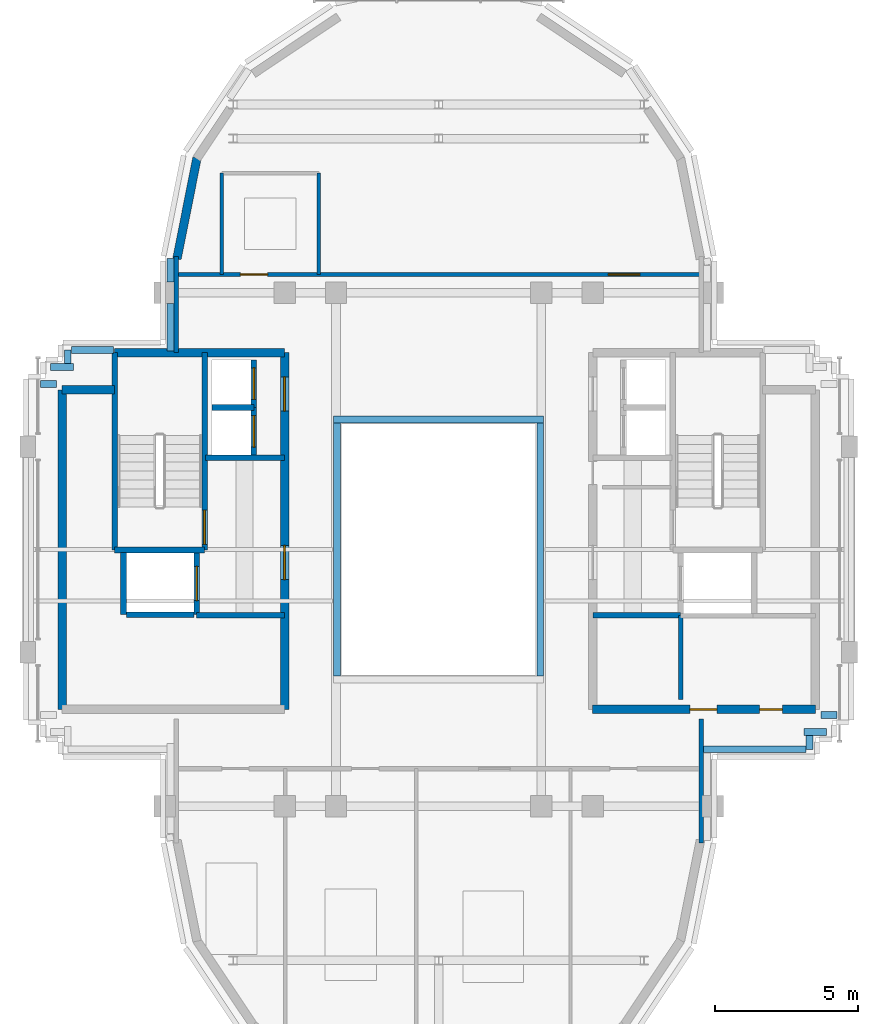
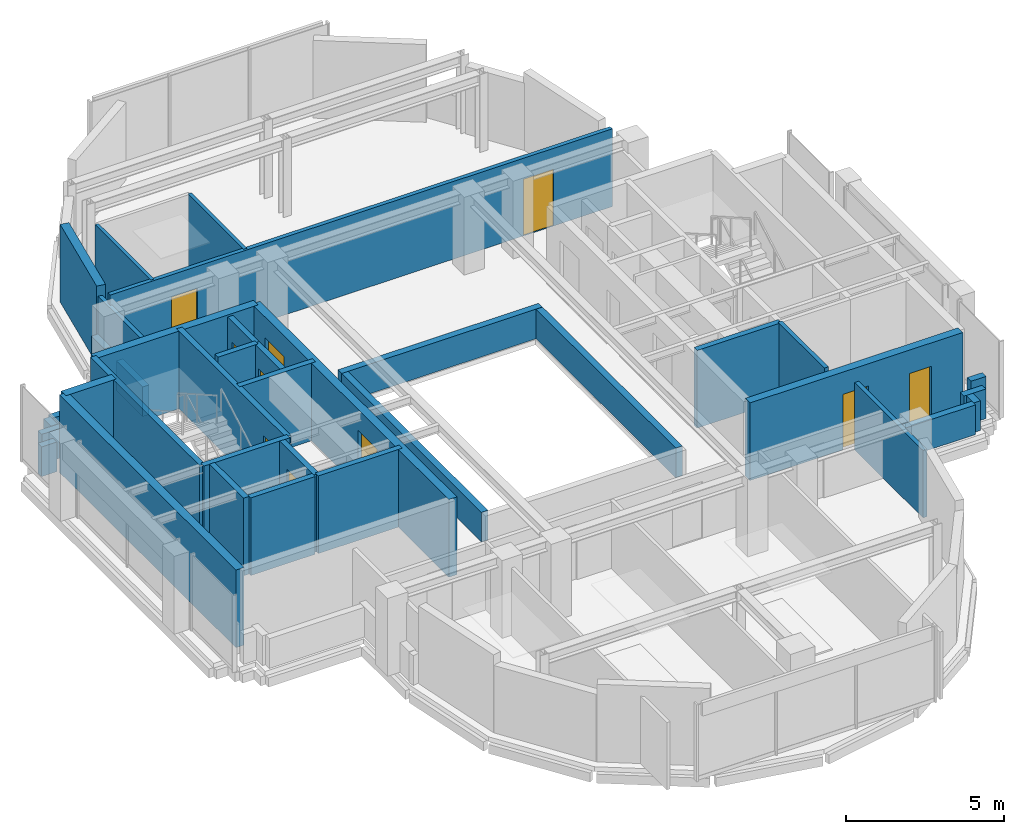
# One storey, part 7 of 10: 37 walls, 10 doors, 10 openings.
"""IFC4 building model written with IfcOpenShell, lengths in metres."""

from ifc_helpers import new_model, si_unit, direction, frame, frame_2d, origin, place, context, subcontext, project, spatial, rectangle, extrude, source, transform, mapped, material, layer, layer_set, type_object, element, fill, save


model = new_model("IFC4")

# Units and contexts
model_context = context("Model", 3, precision=1e-05, world=origin(), true_north=direction((0.0, 1.0)))
body_context = subcontext(model_context, "Body", "Model", "MODEL_VIEW")
ifc_project = project(units=[si_unit("LENGTHUNIT", "METRE"), si_unit("AREAUNIT", "SQUARE_METRE"), si_unit("VOLUMEUNIT", "CUBIC_METRE"), si_unit("PLANEANGLEUNIT", "RADIAN"), si_unit("MASSUNIT", "GRAM", prefix="KILO")], contexts=[model_context])

# Site, building, storey
site_placement = place(None, origin())
site = spatial("IfcSite", under=ifc_project, at=site_placement, CompositionType="ELEMENT")
building_placement = place(site_placement, origin())
building = spatial("IfcBuilding", under=site, at=building_placement, Name="Keilestroom Media Tower", CompositionType="ELEMENT")
storey_placement = place(building_placement, frame((0.0, 0.0, 262.0)))
storey = spatial("IfcBuildingStorey", under=building, at=storey_placement, Name="L73", CompositionType="ELEMENT", Elevation=262.0)

# Walls
ifc_material_1 = material(Name="Precast concrete C40/50", Category="concrete")
ifc_layer_1 = layer(ifc_material_1, 0.300048828125)
ifc_layer_set_1 = layer_set([ifc_layer_1], Name="Precast concrete C40/50")
wall_type_1 = type_object("IfcWallType", Name="Exterior-Masonry-Spandrel-Wall-300", PredefinedType="SOLIDWALL", material=ifc_layer_set_1)
wall_1_placement = place(storey_placement, frame((-8.470703125, 13.724609375, 0.0), z_axis=(0.0, 0.0, 1.0), x_axis=(-0.195114232679, -0.980780523974, 0.0)))
element("IfcWall", 1, at=wall_1_placement, inside=storey, type_object=wall_type_1, Name="L73 Lobe Facet Precast Frame Wall 06", PredefinedType="SOLIDWALL", context=body_context, shape_type="SweptSolid", body=[
    extrude(rectangle(XDim=3.608642578125, YDim=0.300048828125, at=frame_2d((1.80419921875, 0.0))), origin(), (0.0, 0.0, 1.0), 3.010009765625),
])
ifc_material_2 = material(Name="Gypsum Plasterboard & Steel Stud", Category="steel")
ifc_layer_2 = layer(ifc_material_2, 0.1201171875)
ifc_layer_set_2 = layer_set([ifc_layer_2], Name="Gypsum Plasterboard & Steel Stud")
wall_type_2 = type_object("IfcWallType", Name="Interior-Partition-Wall-120", PredefinedType="PARTITIONING", material=ifc_layer_set_2)
for number, where, z_axis, x_axis, name in (
    (2, (-7.60009765625, 9.639892578125, 0.0), (0.0, 0.0, 1.0), (0.0, 1.0, 0.0), "L73 Interior Wall WP-L73-NL-WC-W"),
    (3, (-4.199951171875, 9.639892578125, 0.0), (0.0, 0.0, 1.0), (0.0, 1.0, 0.0), "L73 Interior Wall WP-L73-NL-WC-E"),
):
    element("IfcWall", number, at=place(storey_placement, frame(where, z_axis=z_axis, x_axis=x_axis)), inside=storey, type_object=wall_type_2, Name=name, PredefinedType="PARTITIONING", context=body_context, shape_type="SweptSolid", body=[
        extrude(rectangle(XDim=3.550048828125, YDim=0.1201171875, at=frame_2d((1.77490234375, 0.0))), origin(), (0.0, 0.0, 1.0), 3.010009765625),
    ])
ifc_layer_3 = layer(ifc_material_2, 0.14990234375)
ifc_layer_set_3 = layer_set([ifc_layer_3], Name="Gypsum Plasterboard & Steel Stud")
wall_type_3 = type_object("IfcWallType", Name="Interior-Partition-Wall-150", PredefinedType="PARTITIONING", material=ifc_layer_set_3)
wall_2_placement = place(storey_placement, frame((8.47998046875, -5.260009765625, 0.0), z_axis=(0.0, 0.0, 1.0), x_axis=(0.0, 1.0, 0.0)))
element("IfcWall", 4, at=wall_2_placement, inside=storey, type_object=wall_type_3, Name="L73 Interior Wall WP-L73-RECME-W", PredefinedType="PARTITIONING", context=body_context, shape_type="SweptSolid", body=[
    extrude(rectangle(XDim=2.93994140625, YDim=0.14990234375, at=frame_2d((1.469970703125, 0.0))), origin(), (0.0, 0.0, 1.0), 3.010009765625),
])

# Wall, openings, doors
wall_3_placement = place(storey_placement, frame((-9.199951171875, 9.639892578125, 0.0), z_axis=(0.0, 0.0, 1.0), x_axis=(1.0, 0.0, 0.0)))
wall_3 = element("IfcWall", 5, at=wall_3_placement, inside=storey, type_object=wall_type_3, Name="L73 Interior Wall WP-L73-NL-BASE", PredefinedType="PARTITIONING", context=body_context, shape_type="SweptSolid", body=[
    extrude(rectangle(XDim=18.39990234375, YDim=0.14990234375, at=frame_2d((9.199951171875, 0.0))), origin(), (0.0, 0.0, 1.0), 3.010009765625),
])
opening_1_placement = place(wall_3_placement, frame((2.25, 0.0, 0.0)))
opening_1 = element("IfcOpeningElement", 6, at=opening_1_placement, cuts=wall_3, Name="Opening DI-03", PredefinedType="OPENING", context=body_context, shape_type="SweptSolid", body=[
    extrude(rectangle(XDim=0.949951171875, YDim=2.14990234375, at=frame_2d((0.47509765625, 1.074951171875))), frame((0.0, 0.0849609375, 0.0), z_axis=(0.0, -1.0, 0.0), x_axis=(1.0, 0.0, 0.0)), (0.0, 0.0, 1.0), 0.169921875),
])
opening_2_placement = place(wall_3_placement, frame((15.14990234375, 0.0, 0.0)))
opening_2 = element("IfcOpeningElement", 7, at=opening_2_placement, cuts=wall_3, Name="Opening DI-04", PredefinedType="OPENING", context=body_context, shape_type="SweptSolid", body=[
    extrude(rectangle(XDim=1.10009765625, YDim=2.199951171875, at=frame_2d((0.550048828125, 1.10009765625))), frame((0.0, 0.0849609375, 0.0), z_axis=(0.0, -1.0, 0.0), x_axis=(1.0, 0.0, 0.0)), (0.0, 0.0, 1.0), 0.169921875),
])
ifc_material_3 = material(Name="Lacquered European Oak Leaf", Category="wood")
door_type_1 = type_object("IfcDoorType", Name="Interior-Room-And-Suite-Door-DI-03", OperationType="NOTDEFINED", PredefinedType="DOOR", material=ifc_material_3)
shared_shape_1 = source(origin(), body_context, "Body", "SweptSolid", [
    extrude(rectangle(XDim=0.949951171875, YDim=2.14990234375, at=frame_2d((0.47509765625, 1.074951171875))), frame((0.0, 0.02490234375, 0.0), z_axis=(0.0, -1.0, 0.0), x_axis=(1.0, 0.0, 0.0)), (0.0, 0.0, 1.0), 0.050048828125),
])
door_1_placement = place(opening_1_placement, origin())
door_1 = element("IfcDoor", 8, at=door_1_placement, inside=storey, type_object=door_type_1, Name="L73 Interior Door DI-L73-DNL-WC", OperationType="SINGLE_SWING_LEFT", OverallHeight=2.14990234375, OverallWidth=0.949951171875, PredefinedType="DOOR", context=body_context, shape_type="MappedRepresentation", body=[
    mapped(shared_shape_1, transform((0.0, 0.0, 0.0), x_axis=(1.0, 0.0, 0.0), y_axis=(0.0, 1.0, 0.0), z_axis=(0.0, 0.0, 1.0), scale=1.0)),
])
fill(opening_1, door_1)
ifc_material_4 = material(Name="Acoustic Glazed Aluminium Leaf", Category="aluminium")
door_type_2 = type_object("IfcDoorType", Name="Interior-Room-And-Suite-Door-DI-04", OperationType="NOTDEFINED", PredefinedType="DOOR", material=ifc_material_4)
shared_shape_2 = source(origin(), body_context, "Body", "SweptSolid", [
    extrude(rectangle(XDim=1.10009765625, YDim=2.199951171875, at=frame_2d((0.550048828125, 1.10009765625))), frame((0.0, 0.02490234375, 0.0), z_axis=(0.0, -1.0, 0.0), x_axis=(1.0, 0.0, 0.0)), (0.0, 0.0, 1.0), 0.050048828125),
])
door_2_placement = place(opening_2_placement, origin())
door_2 = element("IfcDoor", 9, at=door_2_placement, inside=storey, type_object=door_type_2, Name="L73 Interior Door DI-L73-DNL-HALL", OperationType="SINGLE_SWING_RIGHT", OverallHeight=2.199951171875, OverallWidth=1.10009765625, PredefinedType="DOOR", context=body_context, shape_type="MappedRepresentation", body=[
    mapped(shared_shape_2, transform((0.0, 0.0, 0.0), x_axis=(1.0, 0.0, 0.0), y_axis=(0.0, 1.0, 0.0), z_axis=(0.0, 0.0, 1.0), scale=1.0)),
])
fill(opening_2, door_2)

# Walls
wall_4_placement = place(storey_placement, frame((-9.199951171875, 6.89990234375, 0.0), z_axis=(0.0, 0.0, 1.0), x_axis=(0.0, 1.0, 0.0)))
element("IfcWall", 10, at=wall_4_placement, inside=storey, type_object=wall_type_3, Name="L73 Interior Wall WP-L73-NL-CHKW", PredefinedType="PARTITIONING", context=body_context, shape_type="SweptSolid", body=[
    extrude(rectangle(XDim=3.380126953125, YDim=0.14990234375, at=frame_2d((1.68994140625, 0.0))), origin(), (0.0, 0.0, 1.0), 2.610107421875),
])
wall_5_placement = place(storey_placement, frame((9.199951171875, -10.280029296875, 0.0), z_axis=(0.0, 0.0, 1.0), x_axis=(0.0, 1.0, 0.0)))
element("IfcWall", 11, at=wall_5_placement, inside=storey, type_object=wall_type_3, Name="L73 Interior Wall WP-L73-SL-CHKE", PredefinedType="PARTITIONING", context=body_context, shape_type="SweptSolid", body=[
    extrude(rectangle(XDim=4.340087890625, YDim=0.14990234375, at=frame_2d((2.169921875, 0.0))), origin(), (0.0, 0.0, 1.0), 2.610107421875),
])
ifc_material_5 = material(Name="Concrete C50/60", Category="concrete")
ifc_layer_4 = layer(ifc_material_5, 0.300048828125)
ifc_layer_set_4 = layer_set([ifc_layer_4], Name="Concrete C50/60")
wall_type_4 = type_object("IfcWallType", Name="Reinforced-Concrete-Core-Shear-Wall-300", PredefinedType="SHEAR", material=ifc_layer_set_4)
wall_6_placement = place(storey_placement, frame((-13.199951171875, -5.60009765625, 0.0), z_axis=(0.0, 0.0, 1.0), x_axis=(0.0, 1.0, 0.0)))
element("IfcWall", 12, at=wall_6_placement, inside=storey, type_object=wall_type_4, Name="L73 Core Shear Wall WL-L73-CORE-W-OUT", PredefinedType="SHEAR", context=body_context, shape_type="SweptSolid", body=[
    extrude(rectangle(XDim=11.2001953125, YDim=0.300048828125, at=frame_2d((5.60009765625, 0.0))), origin(), (0.0, 0.0, 1.0), 3.010009765625),
])

# Wall, openings, doors
wall_7_placement = place(storey_placement, frame((-5.39990234375, -5.60009765625, 0.0), z_axis=(0.0, 0.0, 1.0), x_axis=(0.0, 1.0, 0.0)))
wall_7 = element("IfcWall", 13, at=wall_7_placement, inside=storey, type_object=wall_type_4, Name="L73 Core Shear Wall WL-L73-CORE-W-IN", PredefinedType="SHEAR", context=body_context, shape_type="SweptSolid", body=[
    extrude(rectangle(XDim=12.5, YDim=0.300048828125, at=frame_2d((6.25, 0.0))), origin(), (0.0, 0.0, 1.0), 3.010009765625),
])
opening_3_placement = place(wall_7_placement, frame((4.550048828125, 0.0, 0.0)))
opening_3 = element("IfcOpeningElement", 14, at=opening_3_placement, cuts=wall_7, Name="Opening DI-02", PredefinedType="OPENING", context=body_context, shape_type="SweptSolid", body=[
    extrude(rectangle(XDim=1.199951171875, YDim=2.199951171875, at=frame_2d((0.60009765625, 1.10009765625))), frame((0.0, 0.16015625, 0.0), z_axis=(0.0, -1.0, 0.0), x_axis=(1.0, 0.0, 0.0)), (0.0, 0.0, 1.0), 0.320068359375),
])
opening_4_placement = place(wall_7_placement, frame((10.449951171875, 0.0, 0.0)))
opening_4 = element("IfcOpeningElement", 15, at=opening_4_placement, cuts=wall_7, Name="Opening DI-02", PredefinedType="OPENING", context=body_context, shape_type="SweptSolid", body=[
    extrude(rectangle(XDim=1.199951171875, YDim=2.199951171875, at=frame_2d((0.60009765625, 1.10009765625))), frame((0.0, 0.16015625, 0.0), z_axis=(0.0, -1.0, 0.0), x_axis=(1.0, 0.0, 0.0)), (0.0, 0.0, 1.0), 0.320068359375),
])
ifc_material_6 = material(Name="Powder-Coated Steel Fire Leaf", Category="steel")
door_type_3 = type_object("IfcDoorType", Name="Interior-Compartment-Fire-Door-DI-02", OperationType="NOTDEFINED", PredefinedType="DOOR", material=ifc_material_6)
shared_shape_3 = source(origin(), body_context, "Body", "SweptSolid", [
    extrude(rectangle(XDim=1.199951171875, YDim=2.199951171875, at=frame_2d((0.60009765625, 1.10009765625))), frame((0.0, 0.02490234375, 0.0), z_axis=(0.0, -1.0, 0.0), x_axis=(1.0, 0.0, 0.0)), (0.0, 0.0, 1.0), 0.050048828125),
])
door_3_placement = place(opening_3_placement, origin())
door_3 = element("IfcDoor", 16, at=door_3_placement, inside=storey, type_object=door_type_3, Name="L73 W Firefighting Lobby Door", OperationType="SINGLE_SWING_RIGHT", OverallHeight=2.199951171875, OverallWidth=1.199951171875, PredefinedType="DOOR", context=body_context, shape_type="MappedRepresentation", body=[
    mapped(shared_shape_3, transform((0.0, 0.0, 0.0), x_axis=(1.0, 0.0, 0.0), y_axis=(0.0, 1.0, 0.0), z_axis=(0.0, 0.0, 1.0), scale=1.0)),
])
fill(opening_3, door_3)
door_4_placement = place(opening_4_placement, origin())
door_4 = element("IfcDoor", 17, at=door_4_placement, inside=storey, type_object=door_type_3, Name="L73 W High-Rise Lift Lobby Door", OperationType="SINGLE_SWING_LEFT", OverallHeight=2.199951171875, OverallWidth=1.199951171875, PredefinedType="DOOR", context=body_context, shape_type="MappedRepresentation", body=[
    mapped(shared_shape_3, transform((0.0, 0.0, 0.0), x_axis=(1.0, 0.0, 0.0), y_axis=(0.0, 1.0, 0.0), z_axis=(0.0, 0.0, 1.0), scale=1.0)),
])
fill(opening_4, door_4)

# Walls
wall_8_placement = place(storey_placement, frame((-11.35595703125, 6.89990234375, 0.0), z_axis=(0.0, 0.0, 1.0), x_axis=(1.0, 0.0, 0.0)))
element("IfcWall", 18, at=wall_8_placement, inside=storey, type_object=wall_type_4, Name="L73 Core Shear Wall WL-L73-CORE-W-N", PredefinedType="SHEAR", context=body_context, shape_type="SweptSolid", body=[
    extrude(rectangle(XDim=5.9560546875, YDim=0.300048828125, at=frame_2d((2.97802734375, 0.0))), origin(), (0.0, 0.0, 1.0), 3.010009765625),
])
wall_9_placement = place(storey_placement, frame((-13.199951171875, 5.60009765625, 0.0), z_axis=(0.0, 0.0, 1.0), x_axis=(1.0, 0.0, 0.0)))
element("IfcWall", 19, at=wall_9_placement, inside=storey, type_object=wall_type_4, Name="L73 Core Shear Wall WL-L73-CNW-N", PredefinedType="SHEAR", context=body_context, shape_type="SweptSolid", body=[
    extrude(rectangle(XDim=1.843994140625, YDim=0.300048828125, at=frame_2d((0.921875, 0.0))), origin(), (0.0, 0.0, 1.0), 3.010009765625),
])

# Wall, openings, doors
wall_10_placement = place(storey_placement, frame((5.39990234375, -5.60009765625, 0.0), z_axis=(0.0, 0.0, 1.0), x_axis=(1.0, 0.0, 0.0)))
wall_10 = element("IfcWall", 20, at=wall_10_placement, inside=storey, type_object=wall_type_4, Name="L73 Core Shear Wall WL-L73-CORE-E-S", PredefinedType="SHEAR", context=body_context, shape_type="SweptSolid", body=[
    extrude(rectangle(XDim=7.800048828125, YDim=0.300048828125, at=frame_2d((3.89990234375, 0.0))), origin(), (0.0, 0.0, 1.0), 3.010009765625),
])
opening_5_placement = place(wall_10_placement, frame((5.85009765625, 0.0, 0.0)))
opening_5 = element("IfcOpeningElement", 21, at=opening_5_placement, cuts=wall_10, Name="Opening DI-06", PredefinedType="OPENING", context=body_context, shape_type="SweptSolid", body=[
    extrude(rectangle(XDim=0.800048828125, YDim=2.10009765625, at=frame_2d((0.39990234375, 1.050048828125))), frame((0.0, 0.16015625, 0.0), z_axis=(0.0, -1.0, 0.0), x_axis=(1.0, 0.0, 0.0)), (0.0, 0.0, 1.0), 0.320068359375),
])
opening_6_placement = place(wall_10_placement, frame((3.39990234375, 0.0, 0.0)))
opening_6 = element("IfcOpeningElement", 22, at=opening_6_placement, cuts=wall_10, Name="Opening DI-03", PredefinedType="OPENING", context=body_context, shape_type="SweptSolid", body=[
    extrude(rectangle(XDim=0.949951171875, YDim=2.14990234375, at=frame_2d((0.47509765625, 1.074951171875))), frame((0.0, 0.16015625, 0.0), z_axis=(0.0, -1.0, 0.0), x_axis=(1.0, 0.0, 0.0)), (0.0, 0.0, 1.0), 0.320068359375),
])
ifc_material_7 = material(Name="Powder-Coated Steel Service Leaf", Category="steel")
door_type_4 = type_object("IfcDoorType", Name="Interior-Riser-Access-Door-DI-06", OperationType="NOTDEFINED", PredefinedType="DOOR", material=ifc_material_7)
shared_shape_4 = source(origin(), body_context, "Body", "SweptSolid", [
    extrude(rectangle(XDim=0.800048828125, YDim=2.10009765625, at=frame_2d((0.39990234375, 1.050048828125))), frame((0.0, 0.02490234375, 0.0), z_axis=(0.0, -1.0, 0.0), x_axis=(1.0, 0.0, 0.0)), (0.0, 0.0, 1.0), 0.050048828125),
])
door_5_placement = place(opening_5_placement, origin())
door_5 = element("IfcDoor", 23, at=door_5_placement, inside=storey, type_object=door_type_4, Name="L73 Reclaimed East Core Room Door", OperationType="SINGLE_SWING_RIGHT", OverallHeight=2.10009765625, OverallWidth=0.800048828125, PredefinedType="DOOR", context=body_context, shape_type="MappedRepresentation", body=[
    mapped(shared_shape_4, transform((0.0, 0.0, 0.0), x_axis=(1.0, 0.0, 0.0), y_axis=(0.0, 1.0, 0.0), z_axis=(0.0, 0.0, 1.0), scale=1.0)),
])
fill(opening_5, door_5)
door_6_placement = place(opening_6_placement, origin())
door_6 = element("IfcDoor", 24, at=door_6_placement, inside=storey, type_object=door_type_1, Name="L73 Reclaimed Mid East Room Door", OperationType="SINGLE_SWING_RIGHT", OverallHeight=2.14990234375, OverallWidth=0.949951171875, PredefinedType="DOOR", context=body_context, shape_type="MappedRepresentation", body=[
    mapped(shared_shape_1, transform((0.0, 0.0, 0.0), x_axis=(1.0, 0.0, 0.0), y_axis=(0.0, 1.0, 0.0), z_axis=(0.0, 0.0, 1.0), scale=1.0)),
])
fill(opening_6, door_6)

# Walls
ifc_layer_5 = layer(ifc_material_5, 0.199951171875)
ifc_layer_set_5 = layer_set([ifc_layer_5], Name="Concrete C50/60")
wall_type_5 = type_object("IfcWallType", Name="Reinforced-Concrete-Shaft-Wall-200", PredefinedType="SOLIDWALL", material=ifc_layer_set_5)
wall_11_placement = place(storey_placement, frame((-8.179931640625, 3.219970703125, 0.0), z_axis=(0.0, 0.0, 1.0), x_axis=(1.0, 0.0, 0.0)))
element("IfcWall", 25, at=wall_11_placement, inside=storey, type_object=wall_type_5, Name="L73 Core Shear Wall WL-L73-CORE-W-FFN", PredefinedType="SOLIDWALL", context=body_context, shape_type="SweptSolid", body=[
    extrude(rectangle(XDim=2.780029296875, YDim=0.199951171875, at=frame_2d((1.39013671875, 0.0))), origin(), (0.0, 0.0, 1.0), 3.010009765625),
])
wall_12_placement = place(storey_placement, frame((-8.47998046875, -2.300048828125, 0.0), z_axis=(0.0, 0.0, 1.0), x_axis=(1.0, 0.0, 0.0)))
element("IfcWall", 26, at=wall_12_placement, inside=storey, type_object=wall_type_5, Name="L73 Core Shear Wall WL-L73-CORE-W-FFS", PredefinedType="SOLIDWALL", context=body_context, shape_type="SweptSolid", body=[
    extrude(rectangle(XDim=3.080078125, YDim=0.199951171875, at=frame_2d((1.5400390625, 0.0))), origin(), (0.0, 0.0, 1.0), 3.010009765625),
])

# Wall, opening, door
wall_13_placement = place(storey_placement, frame((-8.2041015625, -0.01611328125, 0.0), z_axis=(0.0, 0.0, 1.0), x_axis=(0.0, 1.0, 0.0)))
wall_13 = element("IfcWall", 27, at=wall_13_placement, inside=storey, type_object=wall_type_5, Name="L73 Core Shear Wall WL-L73-STW-W-NEAR", PredefinedType="SOLIDWALL", context=body_context, shape_type="SweptSolid", body=[
    extrude(rectangle(XDim=6.916015625, YDim=0.199951171875, at=frame_2d((3.4580078125, 0.0))), origin(), (0.0, 0.0, 1.0), 3.010009765625),
])
opening_7_placement = place(wall_13_placement, frame((0.199951171875, 0.0, 0.0)))
opening_7 = element("IfcOpeningElement", 28, at=opening_7_placement, cuts=wall_13, Name="Opening DI-01S", PredefinedType="OPENING", context=body_context, shape_type="SweptSolid", body=[
    extrude(rectangle(XDim=1.199951171875, YDim=2.199951171875, at=frame_2d((0.60009765625, 1.10009765625))), frame((0.0, 0.10986328125, 0.0), z_axis=(0.0, -1.0, 0.0), x_axis=(1.0, 0.0, 0.0)), (0.0, 0.0, 1.0), 0.219970703125),
])
door_type_5 = type_object("IfcDoorType", Name="Interior-Stair-And-Core-Fire-Door-DI-01", OperationType="NOTDEFINED", PredefinedType="DOOR", material=ifc_material_6)
door_7_placement = place(opening_7_placement, origin())
door_7 = element("IfcDoor", 29, at=door_7_placement, inside=storey, type_object=door_type_5, Name="L73 Escape Stair ST-1 Fire Door", OperationType="SINGLE_SWING_LEFT", OverallHeight=2.199951171875, OverallWidth=1.199951171875, PredefinedType="DOOR", context=body_context, shape_type="MappedRepresentation", body=[
    mapped(shared_shape_3, transform((0.0, 0.0, 0.0), x_axis=(1.0, 0.0, 0.0), y_axis=(0.0, 1.0, 0.0), z_axis=(0.0, 0.0, 1.0), scale=1.0)),
])
fill(opening_7, door_7)

# Walls
wall_14_placement = place(storey_placement, frame((-11.35595703125, -0.01611328125, 0.0), z_axis=(0.0, 0.0, 1.0), x_axis=(0.0, 1.0, 0.0)))
element("IfcWall", 30, at=wall_14_placement, inside=storey, type_object=wall_type_5, Name="L73 Core Shear Wall WL-L73-STW-W-FAR", PredefinedType="SOLIDWALL", context=body_context, shape_type="SweptSolid", body=[
    extrude(rectangle(XDim=6.916015625, YDim=0.199951171875, at=frame_2d((3.4580078125, 0.0))), origin(), (0.0, 0.0, 1.0), 3.010009765625),
])
wall_15_placement = place(storey_placement, frame((-11.35595703125, -0.01611328125, 0.0), z_axis=(0.0, 0.0, 1.0), x_axis=(1.0, 0.0, 0.0)))
element("IfcWall", 31, at=wall_15_placement, inside=storey, type_object=wall_type_5, Name="L73 Core Shear Wall WL-L73-STW-W-S", PredefinedType="SOLIDWALL", context=body_context, shape_type="SweptSolid", body=[
    extrude(rectangle(XDim=3.15185546875, YDim=0.199951171875, at=frame_2d((1.575927734375, 0.0))), origin(), (0.0, 0.0, 1.0), 3.010009765625),
])
wall_16_placement = place(storey_placement, frame((5.39990234375, -2.300048828125, 0.0), z_axis=(0.0, 0.0, 1.0), x_axis=(1.0, 0.0, 0.0)))
element("IfcWall", 32, at=wall_16_placement, inside=storey, type_object=wall_type_5, Name="L73 Core Shear Wall WL-L73-CORE-E-FFS", PredefinedType="SOLIDWALL", context=body_context, shape_type="SweptSolid", body=[
    extrude(rectangle(XDim=3.080078125, YDim=0.199951171875, at=frame_2d((1.5400390625, 0.0))), origin(), (0.0, 0.0, 1.0), 3.010009765625),
])
wall_17_placement = place(storey_placement, frame((-11.050048828125, -2.280029296875, 0.0), z_axis=(0.0, 0.0, 1.0), x_axis=(0.0, 1.0, 0.0)))
element("IfcWall", 33, at=wall_17_placement, inside=storey, type_object=wall_type_5, Name="L73 Core Shear Wall WL-L73-LSH-FFL-1-W", PredefinedType="SOLIDWALL", context=body_context, shape_type="SweptSolid", body=[
    extrude(rectangle(XDim=2.179931640625, YDim=0.199951171875, at=frame_2d((1.08984375, 0.0))), origin(), (0.0, 0.0, 1.0), 3.010009765625),
])

# Wall, opening, door
wall_18_placement = place(storey_placement, frame((-8.47998046875, -2.280029296875, 0.0), z_axis=(0.0, 0.0, 1.0), x_axis=(0.0, 1.0, 0.0)))
wall_18 = element("IfcWall", 34, at=wall_18_placement, inside=storey, type_object=wall_type_5, Name="L73 Core Shear Wall WL-L73-LSH-FFL-1-E", PredefinedType="SOLIDWALL", context=body_context, shape_type="SweptSolid", body=[
    extrude(rectangle(XDim=2.179931640625, YDim=0.199951171875, at=frame_2d((1.08984375, 0.0))), origin(), (0.0, 0.0, 1.0), 3.010009765625),
])
opening_8_placement = place(wall_18_placement, frame((0.489990234375, 0.0, 0.0)))
opening_8 = element("IfcOpeningElement", 35, at=opening_8_placement, cuts=wall_18, Name="Opening LD-02", PredefinedType="OPENING", context=body_context, shape_type="SweptSolid", body=[
    extrude(rectangle(XDim=1.199951171875, YDim=2.199951171875, at=frame_2d((0.60009765625, 1.10009765625))), frame((0.0, 0.10986328125, 0.0), z_axis=(0.0, -1.0, 0.0), x_axis=(1.0, 0.0, 0.0)), (0.0, 0.0, 1.0), 0.219970703125),
])
ifc_material_8 = material(Name="Brushed Stainless Steel Sliding Leaf", Category="steel")
door_type_6 = type_object("IfcDoorType", Name="Lift-Landing-Sliding-Door-LD-02", OperationType="SLIDING_TO_RIGHT", PredefinedType="DOOR", material=ifc_material_8)
door_8_placement = place(opening_8_placement, origin())
door_8 = element("IfcDoor", 36, at=door_8_placement, inside=storey, type_object=door_type_6, Name="L73 Lift FFL-1 Landing Sliding Door", OperationType="SLIDING_TO_RIGHT", OverallHeight=2.199951171875, OverallWidth=1.199951171875, PredefinedType="DOOR", context=body_context, shape_type="MappedRepresentation", body=[
    mapped(shared_shape_3, transform((0.0, 0.0, 0.0), x_axis=(1.0, 0.0, 0.0), y_axis=(0.0, 1.0, 0.0), z_axis=(0.0, 0.0, 1.0), scale=1.0)),
])
fill(opening_8, door_8)

# Wall
wall_19_placement = place(storey_placement, frame((-10.946044921875, -2.280029296875, 0.0), z_axis=(0.0, 0.0, 1.0), x_axis=(1.0, 0.0, 0.0)))
element("IfcWall", 37, at=wall_19_placement, inside=storey, type_object=wall_type_5, Name="L73 Core Shear Wall WL-L73-LSH-FFL-1-S", PredefinedType="SOLIDWALL", context=body_context, shape_type="SweptSolid", body=[
    extrude(rectangle(XDim=2.362060546875, YDim=0.199951171875, at=frame_2d((1.18115234375, 0.0))), origin(), (0.0, 0.0, 1.0), 3.010009765625),
])

# Wall, opening, door
wall_20_placement = place(storey_placement, frame((-6.47998046875, 3.300048828125, 0.0), z_axis=(0.0, 0.0, 1.0), x_axis=(0.0, 1.0, 0.0)))
wall_20 = element("IfcWall", 38, at=wall_20_placement, inside=storey, type_object=wall_type_5, Name="L73 Core Shear Wall WL-L73-LSH-PL-H1-E", PredefinedType="SOLIDWALL", context=body_context, shape_type="SweptSolid", body=[
    extrude(rectangle(XDim=1.679931640625, YDim=0.199951171875, at=frame_2d((0.83984375, 0.0))), origin(), (0.0, 0.0, 1.0), 3.010009765625),
])
opening_9_placement = place(wall_20_placement, frame((0.2900390625, 0.0, 0.0)))
opening_9 = element("IfcOpeningElement", 39, at=opening_9_placement, cuts=wall_20, Name="Opening LD-01", PredefinedType="OPENING", context=body_context, shape_type="SweptSolid", body=[
    extrude(rectangle(XDim=1.10009765625, YDim=2.199951171875, at=frame_2d((0.550048828125, 1.10009765625))), frame((0.0, 0.10986328125, 0.0), z_axis=(0.0, -1.0, 0.0), x_axis=(1.0, 0.0, 0.0)), (0.0, 0.0, 1.0), 0.219970703125),
])
door_type_7 = type_object("IfcDoorType", Name="Lift-Landing-Sliding-Door-LD-01", OperationType="SLIDING_TO_LEFT", PredefinedType="DOOR", material=ifc_material_8)
door_9_placement = place(opening_9_placement, origin())
door_9 = element("IfcDoor", 40, at=door_9_placement, inside=storey, type_object=door_type_7, Name="L73 Lift PL-H1 Landing Sliding Door", OperationType="SLIDING_TO_LEFT", OverallHeight=2.199951171875, OverallWidth=1.10009765625, PredefinedType="DOOR", context=body_context, shape_type="MappedRepresentation", body=[
    mapped(shared_shape_2, transform((0.0, 0.0, 0.0), x_axis=(1.0, 0.0, 0.0), y_axis=(0.0, 1.0, 0.0), z_axis=(0.0, 0.0, 1.0), scale=1.0)),
])
fill(opening_9, door_9)

# Wall
wall_21_placement = place(storey_placement, frame((-7.949951171875, 4.97998046875, 0.0), z_axis=(0.0, 0.0, 1.0), x_axis=(1.0, 0.0, 0.0)))
element("IfcWall", 41, at=wall_21_placement, inside=storey, type_object=wall_type_5, Name="L73 Core Shear Wall WL-L73-LSH-PL-H1-N", PredefinedType="SOLIDWALL", context=body_context, shape_type="SweptSolid", body=[
    extrude(rectangle(XDim=1.469970703125, YDim=0.199951171875, at=frame_2d((0.73486328125, 0.0))), origin(), (0.0, 0.0, 1.0), 3.010009765625),
])

# Wall, opening, door
wall_22_placement = place(storey_placement, frame((-6.47998046875, 4.97998046875, 0.0), z_axis=(0.0, 0.0, 1.0), x_axis=(0.0, 1.0, 0.0)))
wall_22 = element("IfcWall", 42, at=wall_22_placement, inside=storey, type_object=wall_type_5, Name="L73 Core Shear Wall WL-L73-LSH-PL-H2-E", PredefinedType="SOLIDWALL", context=body_context, shape_type="SweptSolid", body=[
    extrude(rectangle(XDim=1.669921875, YDim=0.199951171875, at=frame_2d((0.8349609375, 0.0))), origin(), (0.0, 0.0, 1.0), 3.010009765625),
])
opening_10_placement = place(wall_22_placement, frame((0.284912109375, 0.0, 0.0)))
opening_10 = element("IfcOpeningElement", 43, at=opening_10_placement, cuts=wall_22, Name="Opening LD-01", PredefinedType="OPENING", context=body_context, shape_type="SweptSolid", body=[
    extrude(rectangle(XDim=1.10009765625, YDim=2.199951171875, at=frame_2d((0.550048828125, 1.10009765625))), frame((0.0, 0.10986328125, 0.0), z_axis=(0.0, -1.0, 0.0), x_axis=(1.0, 0.0, 0.0)), (0.0, 0.0, 1.0), 0.219970703125),
])
door_10_placement = place(opening_10_placement, origin())
door_10 = element("IfcDoor", 44, at=door_10_placement, inside=storey, type_object=door_type_7, Name="L73 Lift PL-H2 Landing Sliding Door", OperationType="SLIDING_TO_LEFT", OverallHeight=2.199951171875, OverallWidth=1.10009765625, PredefinedType="DOOR", context=body_context, shape_type="MappedRepresentation", body=[
    mapped(shared_shape_2, transform((0.0, 0.0, 0.0), x_axis=(1.0, 0.0, 0.0), y_axis=(0.0, 1.0, 0.0), z_axis=(0.0, 0.0, 1.0), scale=1.0)),
])
fill(opening_10, door_10)

# Walls
ifc_layer_6 = layer(ifc_material_1, 0.239990234375)
ifc_layer_set_6 = layer_set([ifc_layer_6], Name="Precast concrete C40/50")
wall_type_6 = type_object("IfcWallType", Name="Roof-And-Terrace-Parapet-Wall-240", PredefinedType="PARAPET", material=ifc_layer_set_6)
wall_23_placement = place(storey_placement, frame((13.95703125, -5.800048828125, 0.0), z_axis=(0.0, 0.0, 1.0), x_axis=(-1.0, 0.0, 0.0)))
element("IfcWall", 45, at=wall_23_placement, inside=storey, type_object=wall_type_6, Name="L73 Perimeter Edge Parapet Wall 01", PredefinedType="PARAPET", context=body_context, shape_type="SweptSolid", body=[
    extrude(rectangle(XDim=0.55712890625, YDim=0.239990234375, at=frame_2d((0.278564453125, 0.0))), origin(), (0.0, 0.0, 1.0), 1.14990234375),
])
wall_24_placement = place(storey_placement, frame((13.60009765625, -6.39990234375, 0.0), z_axis=(0.0, 0.0, 1.0), x_axis=(-1.0, 0.0, 0.0)))
element("IfcWall", 46, at=wall_24_placement, inside=storey, type_object=wall_type_6, Name="L73 Perimeter Edge Parapet Wall 02", PredefinedType="PARAPET", context=body_context, shape_type="SweptSolid", body=[
    extrude(rectangle(XDim=0.800048828125, YDim=0.239990234375, at=frame_2d((0.39990234375, 0.0))), origin(), (0.0, 0.0, 1.0), 1.14990234375),
])
wall_25_placement = place(storey_placement, frame((13.0, -6.52294921875, 0.0), z_axis=(0.0, 0.0, 1.0), x_axis=(0.0, -1.0, 0.0)))
element("IfcWall", 47, at=wall_25_placement, inside=storey, type_object=wall_type_6, Name="L73 Perimeter Edge Parapet Wall 03", PredefinedType="PARAPET", context=body_context, shape_type="SweptSolid", body=[
    extrude(rectangle(XDim=0.47705078125, YDim=0.239990234375, at=frame_2d((0.238525390625, 0.0))), origin(), (0.0, 0.0, 1.0), 1.14990234375),
])
wall_26_placement = place(storey_placement, frame((12.876953125, -7.0, 0.0), z_axis=(0.0, 0.0, 1.0), x_axis=(-1.0, 0.0, 0.0)))
element("IfcWall", 48, at=wall_26_placement, inside=storey, type_object=wall_type_6, Name="L73 Perimeter Edge Parapet Wall 04", PredefinedType="PARAPET", context=body_context, shape_type="SweptSolid", body=[
    extrude(rectangle(XDim=3.598876953125, YDim=0.239990234375, at=frame_2d((1.79931640625, 0.0))), origin(), (0.0, 0.0, 1.0), 1.14990234375),
])
wall_27_placement = place(storey_placement, frame((-13.95703125, 5.800048828125, 0.0), z_axis=(0.0, 0.0, 1.0), x_axis=(1.0, 0.0, 0.0)))
element("IfcWall", 49, at=wall_27_placement, inside=storey, type_object=wall_type_6, Name="L73 Perimeter Edge Parapet Wall 14", PredefinedType="PARAPET", context=body_context, shape_type="SweptSolid", body=[
    extrude(rectangle(XDim=0.55712890625, YDim=0.239990234375, at=frame_2d((0.278564453125, 0.0))), origin(), (0.0, 0.0, 1.0), 1.14990234375),
])
wall_28_placement = place(storey_placement, frame((-13.60009765625, 6.39990234375, 0.0), z_axis=(0.0, 0.0, 1.0), x_axis=(1.0, 0.0, 0.0)))
element("IfcWall", 50, at=wall_28_placement, inside=storey, type_object=wall_type_6, Name="L73 Perimeter Edge Parapet Wall 15", PredefinedType="PARAPET", context=body_context, shape_type="SweptSolid", body=[
    extrude(rectangle(XDim=0.800048828125, YDim=0.239990234375, at=frame_2d((0.39990234375, 0.0))), origin(), (0.0, 0.0, 1.0), 1.14990234375),
])
wall_29_placement = place(storey_placement, frame((-13.0, 6.52294921875, 0.0), z_axis=(0.0, 0.0, 1.0), x_axis=(0.0, 1.0, 0.0)))
element("IfcWall", 51, at=wall_29_placement, inside=storey, type_object=wall_type_6, Name="L73 Perimeter Edge Parapet Wall 16", PredefinedType="PARAPET", context=body_context, shape_type="SweptSolid", body=[
    extrude(rectangle(XDim=0.47705078125, YDim=0.239990234375, at=frame_2d((0.238525390625, 0.0))), origin(), (0.0, 0.0, 1.0), 1.14990234375),
])
wall_30_placement = place(storey_placement, frame((-12.876953125, 7.0, 0.0), z_axis=(0.0, 0.0, 1.0), x_axis=(1.0, 0.0, 0.0)))
element("IfcWall", 52, at=wall_30_placement, inside=storey, type_object=wall_type_6, Name="L73 Perimeter Edge Parapet Wall 17", PredefinedType="PARAPET", context=body_context, shape_type="SweptSolid", body=[
    extrude(rectangle(XDim=1.473876953125, YDim=0.239990234375, at=frame_2d((0.73681640625, 0.0))), origin(), (0.0, 0.0, 1.0), 1.14990234375),
])
wall_31_placement = place(storey_placement, frame((-9.39990234375, 6.952880859375, 0.0), z_axis=(0.0, 0.0, 1.0), x_axis=(0.0, 1.0, 0.0)))
element("IfcWall", 53, at=wall_31_placement, inside=storey, type_object=wall_type_6, Name="L73 Perimeter Edge Parapet Wall 18", PredefinedType="PARAPET", context=body_context, shape_type="SweptSolid", body=[
    extrude(rectangle(XDim=1.669189453125, YDim=0.239990234375, at=frame_2d((0.83447265625, 0.0))), origin(), (0.0, 0.0, 1.0), 1.14990234375),
])
wall_32_placement = place(storey_placement, frame((-9.39990234375, 9.3779296875, 0.0), z_axis=(0.0, 0.0, 1.0), x_axis=(0.0, 1.0, 0.0)))
element("IfcWall", 54, at=wall_32_placement, inside=storey, type_object=wall_type_6, Name="L73 Perimeter Edge Parapet Wall 19", PredefinedType="PARAPET", context=body_context, shape_type="SweptSolid", body=[
    extrude(rectangle(XDim=0.824951171875, YDim=0.239990234375, at=frame_2d((0.41259765625, 0.0))), origin(), (0.0, 0.0, 1.0), 1.14990234375),
])
wall_33_placement = place(storey_placement, frame((-3.679931640625, 4.56005859375, 0.0), z_axis=(0.0, 0.0, 1.0), x_axis=(1.0, 0.0, 0.0)))
element("IfcWall", 55, at=wall_33_placement, inside=storey, type_object=wall_type_6, Name="L73 Central Atrium Guard Parapet N", PredefinedType="PARAPET", context=body_context, shape_type="SweptSolid", body=[
    extrude(rectangle(XDim=7.35986328125, YDim=0.239990234375, at=frame_2d((3.679931640625, 0.0))), origin(), (0.0, 0.0, 1.0), 1.14990234375),
])
for number, where, z_axis, x_axis, name in (
    (56, (-3.56005859375, -4.43505859375, 0.0), (0.0, 0.0, 1.0), (0.0, 1.0, 0.0), "L73 Central Atrium Guard Parapet W"),
    (57, (3.56005859375, -4.43505859375, 0.0), (0.0, 0.0, 1.0), (0.0, 1.0, 0.0), "L73 Central Atrium Guard Parapet E"),
):
    element("IfcWall", number, at=place(storey_placement, frame(where, z_axis=z_axis, x_axis=x_axis)), inside=storey, type_object=wall_type_6, Name=name, PredefinedType="PARAPET", context=body_context, shape_type="SweptSolid", body=[
        extrude(rectangle(XDim=8.8701171875, YDim=0.239990234375, at=frame_2d((4.43505859375, 0.0))), origin(), (0.0, 0.0, 1.0), 1.14990234375),
    ])

save(model, "model.ifc")
